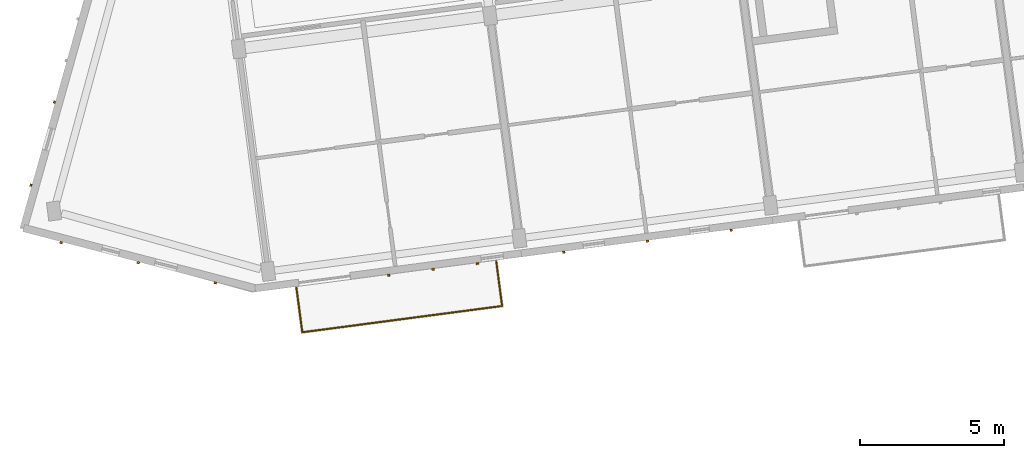
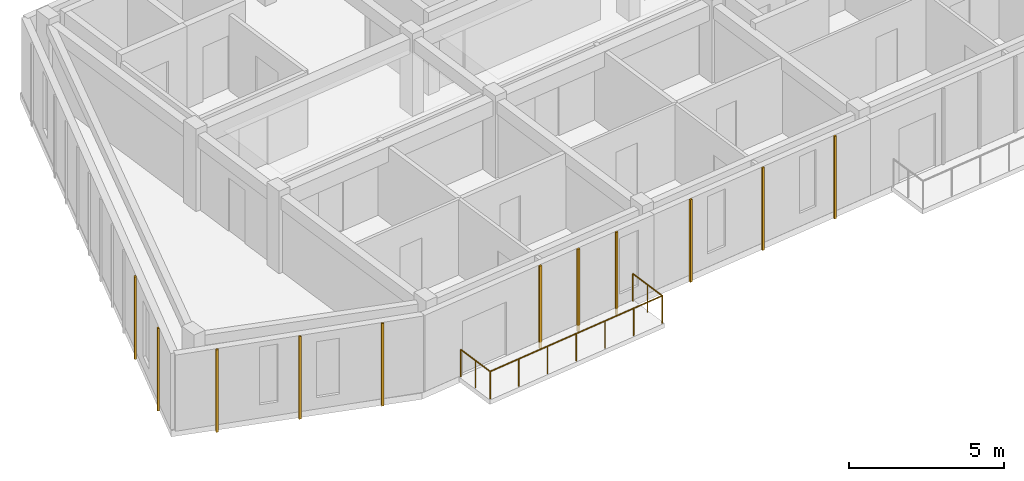
# One storey, part 21 of 34: 11 coverings, 1 railing.
"""IFC4 building model written with IfcOpenShell, lengths in metres."""

from ifc_helpers import new_model, si_unit, direction, frame, origin, origin_2d, place, context, subcontext, project, spatial, rectangle, circle, extrude, material, layer, layer_set, type_object, element, save


model = new_model("IFC4")

# Units and contexts
model_context = context("Model", 3, precision=1e-05, world=origin(), true_north=direction((0.0, 1.0)))
body_context = subcontext(model_context, "Body", "Model", "MODEL_VIEW")
ifc_project = project(units=[si_unit("LENGTHUNIT", "METRE"), si_unit("AREAUNIT", "SQUARE_METRE"), si_unit("VOLUMEUNIT", "CUBIC_METRE"), si_unit("PLANEANGLEUNIT", "RADIAN"), si_unit("MASSUNIT", "GRAM", prefix="KILO")], contexts=[model_context])

# Site, building, storey
site_placement = place(None, origin())
site = spatial("IfcSite", under=ifc_project, at=site_placement, CompositionType="ELEMENT")
building_placement = place(site_placement, origin())
building = spatial("IfcBuilding", under=site, at=building_placement, Name="Kestramere Prow Commons", CompositionType="ELEMENT")
storey_placement = place(building_placement, frame((0.0, 0.0, 34.39990234375)))
storey = spatial("IfcBuildingStorey", under=building, at=storey_placement, Name="L10", CompositionType="ELEMENT", Elevation=34.39990234375)

# Coverings
ifc_material_1 = material(Name="Weathered Zinc-Titanium Standing-Seam Cladding")
ifc_layer = layer(ifc_material_1, 0.074951171875)
ifc_layer_set = layer_set([ifc_layer], Name="Weathered Zinc-Titanium Standing-Seam Cladding")
covering_type = type_object("IfcCoveringType", Name="COV-CLAD-SEAM", PredefinedType="CLADDING", material=ifc_layer_set)
for number, where, z_axis, x_axis, name in (
    (1, (18.47216796875, 72.274169921875, -0.25), (0.0, 0.0, 1.0), (-0.991444861374, -0.13052619222, 0.0), "EW-A-L10-S-0 Standing-Seam Rib 1"),
    (2, (16.931396484375, 72.0712890625, -0.25), (0.0, 0.0, 1.0), (-0.991444861374, -0.13052619222, 0.0), "EW-A-L10-S-0 Standing-Seam Rib 2"),
    (3, (15.390625, 71.868408203125, -0.25), (0.0, 0.0, 1.0), (-0.991444861374, -0.13052619222, 0.0), "EW-A-L10-S-0 Standing-Seam Rib 3"),
    (4, (27.28369140625, 73.43408203125, -0.25), (0.0, 0.0, 1.0), (-0.991444861374, -0.13052619222, 0.0), "EW-A-L10-S-1 Standing-Seam Rib 1"),
    (5, (24.37548828125, 73.05126953125, -0.25), (0.0, 0.0, 1.0), (-0.991444861374, -0.13052619222, 0.0), "EW-A-L10-S-1 Standing-Seam Rib 3"),
    (6, (21.46728515625, 72.66845703125, -0.25), (0.0, 0.0, 1.0), (-0.991444861374, -0.13052619222, 0.0), "EW-A-L10-S-1 Standing-Seam Rib 5"),
    (7, (9.367431640625, 71.602783203125, -0.25), (0.0, 0.0, 1.0), (-0.96769817096, 0.252111582281, 0.0), "EW-A-L10-PRW-S Standing-Seam Rib 1"),
    (8, (6.6884765625, 72.300537109375, -0.25), (0.0, 0.0, 1.0), (-0.96769817096, 0.252111582281, 0.0), "EW-A-L10-PRW-S Standing-Seam Rib 3"),
    (9, (4.009521484375, 72.99853515625, -0.25), (0.0, 0.0, 1.0), (-0.96769817096, 0.252111582281, 0.0), "EW-A-L10-PRW-S Standing-Seam Rib 5"),
    (10, (2.96142578125, 74.9931640625, -0.25), (0.0, 0.0, 1.0), (0.271159911526, 0.962534312314, 0.0), "EW-A-L10-PRW-N Standing-Seam Rib 1"),
    (11, (3.775146484375, 77.8818359375, -0.25), (0.0, 0.0, 1.0), (0.271159911526, 0.962534312314, 0.0), "EW-A-L10-PRW-N Standing-Seam Rib 3"),
):
    element("IfcCovering", number, at=place(storey_placement, frame(where, z_axis=z_axis, x_axis=x_axis)), inside=storey, type_object=covering_type, Name=name, PredefinedType="CLADDING", context=body_context, shape_type="SweptSolid", body=[
        extrude(rectangle(XDim=0.0849609375, YDim=0.06494140625, at=origin_2d()), origin(), (0.0, 0.0, 1.0), 3.25),
    ])

# Railing
ifc_material_2 = material(Name="Powder-Coated Aluminium 6063-T6", Category="aluminium")
railing_type = type_object("IfcRailingType", Name="GRD-BALC-1100", PredefinedType="BALUSTRADE", material=ifc_material_2)
railing_placement = place(storey_placement, frame((12.182373046875, 71.433349609375, 0.0)))
element("IfcRailing", 12, at=railing_placement, inside=storey, type_object=railing_type, Name="Block A L10 Balcony Guardrail 1", PredefinedType="BALUSTRADE", context=body_context, shape_type="SweptSolid", body=[
    extrude(circle(Radius=0.02392578125, at=origin_2d()), frame((0.0, 0.0, 1.076171875), z_axis=(0.130523335136, -0.991445237512, 0.0), x_axis=(0.991445237512, 0.130523335136, 0.0)), (0.0, 0.0, 1.0), 1.56005859375),
    extrude(circle(Radius=0.02392578125, at=origin_2d()), frame((0.20361328125, -1.546630859375, 1.076171875), z_axis=(0.991447052715, 0.13050954625, 0.0), x_axis=(-0.13050954625, 0.991447052715, 0.0)), (0.0, 0.0, 1.0), 7.0),
    extrude(circle(Radius=0.02392578125, at=origin_2d()), frame((7.143798828125, -0.633056640625, 1.076171875), z_axis=(-0.130503085734, 0.991447903127, 0.0), x_axis=(-0.991447903127, -0.130503085734, 0.0)), (0.0, 0.0, 1.0), 1.560302734375),
    extrude(circle(Radius=0.02099609375, at=origin_2d()), origin(), (0.0, 0.0, 1.0), 1.052001953125),
    extrude(circle(Radius=0.02099609375, at=origin_2d()), frame((0.101806640625, -0.7734375, 0.0)), (0.0, 0.0, 1.0), 1.052001953125),
    extrude(circle(Radius=0.02099609375, at=origin_2d()), frame((0.20361328125, -1.546630859375, 0.0)), (0.0, 0.0, 1.0), 1.052001953125),
    extrude(circle(Radius=0.02099609375, at=origin_2d()), frame((1.3603515625, -1.394287109375, 0.0)), (0.0, 0.0, 1.0), 1.052001953125),
    extrude(circle(Radius=0.02099609375, at=origin_2d()), frame((2.51708984375, -1.2421875, 0.0)), (0.0, 0.0, 1.0), 1.052001953125),
    extrude(circle(Radius=0.02099609375, at=origin_2d()), frame((3.673828125, -1.08984375, 0.0)), (0.0, 0.0, 1.0), 1.052001953125),
    extrude(circle(Radius=0.02099609375, at=origin_2d()), frame((4.830322265625, -0.9375, 0.0)), (0.0, 0.0, 1.0), 1.052001953125),
    extrude(circle(Radius=0.02099609375, at=origin_2d()), frame((5.987060546875, -0.785400390625, 0.0)), (0.0, 0.0, 1.0), 1.052001953125),
    extrude(circle(Radius=0.02099609375, at=origin_2d()), frame((7.143798828125, -0.633056640625, 0.0)), (0.0, 0.0, 1.0), 1.052001953125),
    extrude(circle(Radius=0.02099609375, at=origin_2d()), frame((7.0419921875, 0.140380859375, 0.0)), (0.0, 0.0, 1.0), 1.052001953125),
    extrude(circle(Radius=0.02099609375, at=origin_2d()), frame((6.940185546875, 0.913818359375, 0.0)), (0.0, 0.0, 1.0), 1.052001953125),
])

save(model, "model.ifc")
